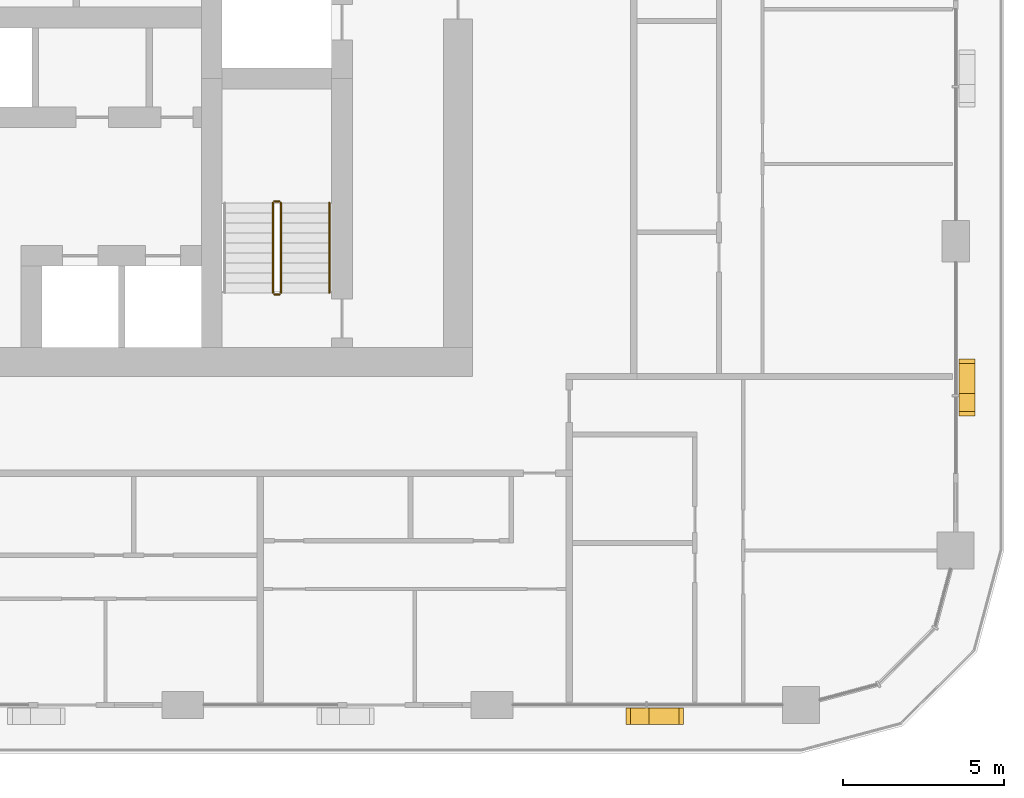
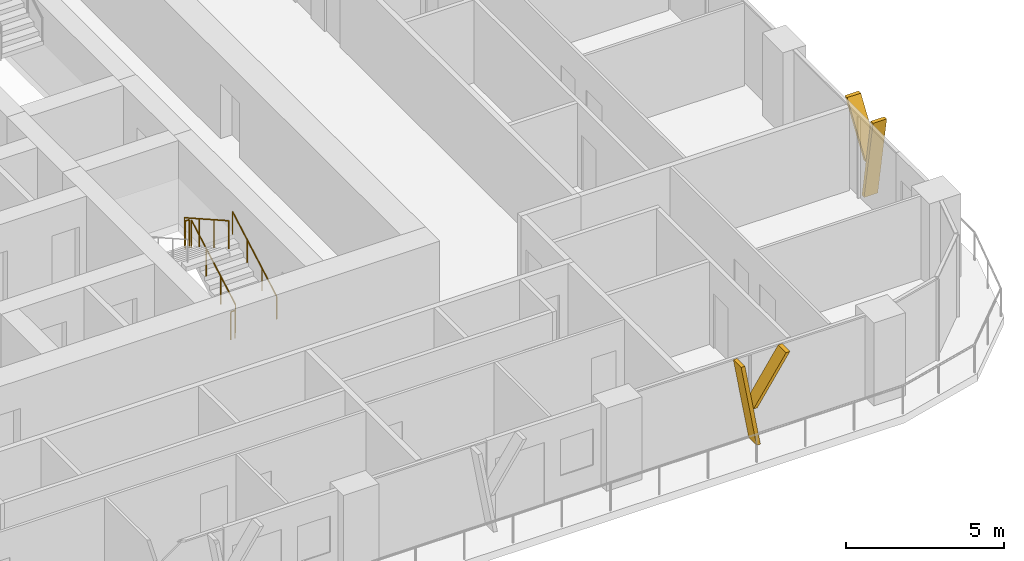
# One storey, part 19 of 22: 5 railings, 4 shading devices.
"""IFC4 building model written with IfcOpenShell, lengths in metres."""

from ifc_helpers import new_model, si_unit, direction, frame, origin, origin_2d, place, context, subcontext, project, spatial, polyline, circle, outline, extrude, material, type_object, element, save


model = new_model("IFC4")

# Units and contexts
model_context = context("Model", 3, precision=1e-05, world=origin(), true_north=direction((0.0, 1.0)))
body_context = subcontext(model_context, "Body", "Model", "MODEL_VIEW")
ifc_project = project(units=[si_unit("LENGTHUNIT", "METRE"), si_unit("AREAUNIT", "SQUARE_METRE"), si_unit("VOLUMEUNIT", "CUBIC_METRE"), si_unit("PLANEANGLEUNIT", "RADIAN"), si_unit("MASSUNIT", "GRAM", prefix="KILO")], contexts=[model_context])

# Site, building, storey
site_placement = place(None, origin())
site = spatial("IfcSite", under=ifc_project, at=site_placement, CompositionType="ELEMENT")
building_placement = place(site_placement, origin())
building = spatial("IfcBuilding", under=site, at=building_placement, Name="Madar Terraces", CompositionType="ELEMENT")
storey_placement = place(building_placement, frame((0.0, 0.0, 103.199951171875)))
storey = spatial("IfcBuildingStorey", under=building, at=storey_placement, Name="L26", CompositionType="ELEMENT", Elevation=103.199951171875)

# Shading devices
ifc_material_1 = material(Name="Aluminium, black anodised", Category="aluminium")
shading_device_type = type_object("IfcShadingDeviceType", Name="Facade fin blade 140 x 500", PredefinedType="USERDEFINED", material=ifc_material_1)
shading_device_1_placement = place(storey_placement, frame((52.72998046875, 4.449951171875, 0.0), z_axis=(0.0, 0.0, 1.0), x_axis=(1.0, 0.0, 0.0)))
element("IfcShadingDevice", 1, at=shading_device_1_placement, inside=storey, type_object=shading_device_type, Name="FIN L26 S5", ObjectType="FIN", PredefinedType="USERDEFINED", context=body_context, shape_type="SweptSolid", body=[
    extrude(outline(polyline([(0.0, 0.0), (0.14013671875, 0.0), (-0.42431640625, 3.199951171875), (-0.564208984375, 3.199951171875), (0.0, 0.0)])), frame((0.0, 0.25, 0.0), z_axis=(0.0, -1.0, 0.0), x_axis=(1.0, 0.0, 0.0)), (0.0, 0.0, 1.0), 0.5),
])
shading_device_2_placement = place(storey_placement, frame((52.6162109375, 4.449951171875, 1.43994140625), z_axis=(0.0, 0.0, 1.0), x_axis=(1.0, 0.0, 0.0)))
element("IfcShadingDevice", 2, at=shading_device_2_placement, inside=storey, type_object=shading_device_type, Name="FIN L26 S5 branch", ObjectType="FIN", PredefinedType="USERDEFINED", context=body_context, shape_type="SweptSolid", body=[
    extrude(outline(polyline([(0.0, 0.0), (0.139892578125, 0.0), (1.32958984375, 1.760009765625), (1.189697265625, 1.760009765625), (0.0, 0.0)])), frame((0.0, 0.25, 0.0), z_axis=(0.0, -1.0, 0.0), x_axis=(1.0, 0.0, 0.0)), (0.0, 0.0, 1.0), 0.5),
])
shading_device_3_placement = place(storey_placement, frame((62.75, 14.330078125, 0.0), z_axis=(0.0, 0.0, 1.0), x_axis=(0.0, 1.0, 0.0)))
element("IfcShadingDevice", 3, at=shading_device_3_placement, inside=storey, type_object=shading_device_type, Name="FIN L26 E1", ObjectType="FIN", PredefinedType="USERDEFINED", context=body_context, shape_type="SweptSolid", body=[
    extrude(outline(polyline([(0.0, 0.0), (0.139892578125, 0.0), (-0.42431640625, 3.199951171875), (-0.564208984375, 3.199951171875), (0.0, 0.0)])), frame((0.0, 0.25, 0.0), z_axis=(0.0, -1.0, 0.0), x_axis=(1.0, 0.0, 0.0)), (0.0, 0.0, 1.0), 0.5),
])
shading_device_4_placement = place(storey_placement, frame((62.75, 14.216064453125, 1.43994140625), z_axis=(0.0, 0.0, 1.0), x_axis=(0.0, 1.0, 0.0)))
element("IfcShadingDevice", 4, at=shading_device_4_placement, inside=storey, type_object=shading_device_type, Name="FIN L26 E1 branch", ObjectType="FIN", PredefinedType="USERDEFINED", context=body_context, shape_type="SweptSolid", body=[
    extrude(outline(polyline([(0.0, 0.0), (0.14013671875, 0.0), (1.32958984375, 1.760009765625), (1.189697265625, 1.760009765625), (0.0, 0.0)])), frame((0.0, 0.25, 0.0), z_axis=(0.0, -1.0, 0.0), x_axis=(1.0, 0.0, 0.0)), (0.0, 0.0, 1.0), 0.5),
])

# Railings
ifc_material_2 = material(Name="Stainless steel railing", Category="steel")
railing_type_1 = type_object("IfcRailingType", Name="Stair guard 1100", PredefinedType="GUARDRAIL", material=ifc_material_2)
railing_1_placement = place(storey_placement, frame((41.449951171875, 17.60009765625, 0.175048828125)))
element("IfcRailing", 5, at=railing_1_placement, inside=storey, type_object=railing_type_1, Name="L26 ST3 stair guard 1", PredefinedType="GUARDRAIL", context=body_context, shape_type="SweptSolid", body=[
    extrude(circle(Radius=0.02392578125, at=origin_2d()), frame((0.0, 0.0, 1.076171875), z_axis=(0.0, 0.870815363784, 0.491610213684), x_axis=(-1.0, 0.0, 0.0)), (0.0, 0.0, 1.0), 3.20361328125),
    extrude(circle(Radius=0.02099609375, at=origin_2d()), origin(), (0.0, 0.0, 1.0), 1.052001953125),
    extrude(circle(Radius=0.02099609375, at=origin_2d()), frame((0.0, 0.929931640625, 0.52490234375)), (0.0, 0.0, 1.0), 1.052001953125),
    extrude(circle(Radius=0.02099609375, at=origin_2d()), frame((0.0, 1.85986328125, 1.050048828125)), (0.0, 0.0, 1.0), 1.052001953125),
    extrude(circle(Radius=0.02099609375, at=origin_2d()), frame((0.0, 2.789794921875, 1.574951171875)), (0.0, 0.0, 1.0), 1.052001953125),
])
railing_2_placement = place(storey_placement, frame((41.39990234375, 20.43994140625, 1.75)))
element("IfcRailing", 6, at=railing_2_placement, inside=storey, type_object=railing_type_1, Name="L26 ST3 stair guard 2", PredefinedType="GUARDRAIL", context=body_context, shape_type="SweptSolid", body=[
    extrude(circle(Radius=0.02392578125, at=origin_2d()), frame((0.0, 0.0, 1.076171875), z_axis=(-1.0, 0.0, 0.0), x_axis=(0.0, -1.0, 0.0)), (0.0, 0.0, 1.0), 0.14990234375),
    extrude(circle(Radius=0.02099609375, at=origin_2d()), origin(), (0.0, 0.0, 1.0), 1.052001953125),
    extrude(circle(Radius=0.02099609375, at=origin_2d()), frame((-0.14990234375, 0.0, 0.0)), (0.0, 0.0, 1.0), 1.052001953125),
])
railing_3_placement = place(storey_placement, frame((41.199951171875, 20.389892578125, 1.925048828125)))
element("IfcRailing", 7, at=railing_3_placement, inside=storey, type_object=railing_type_1, Name="L26 ST3 stair guard 3", PredefinedType="GUARDRAIL", context=body_context, shape_type="SweptSolid", body=[
    extrude(circle(Radius=0.02392578125, at=origin_2d()), frame((0.0, 0.0, 1.076171875), z_axis=(0.0, -0.870815363784, 0.491610213684), x_axis=(1.0, 0.0, 0.0)), (0.0, 0.0, 1.0), 3.20361328125),
    extrude(circle(Radius=0.02099609375, at=origin_2d()), origin(), (0.0, 0.0, 1.0), 1.052001953125),
    extrude(circle(Radius=0.02099609375, at=origin_2d()), frame((0.0, -0.929931640625, 0.52490234375)), (0.0, 0.0, 1.0), 1.052001953125),
    extrude(circle(Radius=0.02099609375, at=origin_2d()), frame((0.0, -1.85986328125, 1.050048828125)), (0.0, 0.0, 1.0), 1.052001953125),
    extrude(circle(Radius=0.02099609375, at=origin_2d()), frame((0.0, -2.789794921875, 1.574951171875)), (0.0, 0.0, 1.0), 1.052001953125),
])
railing_4_placement = place(storey_placement, frame((41.39990234375, 17.550048828125, 0.0)))
element("IfcRailing", 8, at=railing_4_placement, inside=storey, type_object=railing_type_1, Name="L26 ST3 stair guard 4", PredefinedType="GUARDRAIL", context=body_context, shape_type="SweptSolid", body=[
    extrude(circle(Radius=0.02392578125, at=origin_2d()), frame((0.0, 0.0, 1.076171875), z_axis=(-1.0, 0.0, 0.0), x_axis=(0.0, -1.0, 0.0)), (0.0, 0.0, 1.0), 0.14990234375),
    extrude(circle(Radius=0.02099609375, at=origin_2d()), origin(), (0.0, 0.0, 1.0), 1.052001953125),
    extrude(circle(Radius=0.02099609375, at=origin_2d()), frame((-0.14990234375, 0.0, 0.0)), (0.0, 0.0, 1.0), 1.052001953125),
])
ifc_material_3 = material(Name="Stainless steel railing", Category="steel")
railing_type_2 = type_object("IfcRailingType", Name="Stair handrail 900", PredefinedType="HANDRAIL", material=ifc_material_3)
railing_5_placement = place(storey_placement, frame((42.949951171875, 17.60009765625, 0.175048828125)))
element("IfcRailing", 9, at=railing_5_placement, inside=storey, type_object=railing_type_2, Name="L26 ST3 stair handrail 1", PredefinedType="HANDRAIL", context=body_context, shape_type="SweptSolid", body=[
    extrude(circle(Radius=0.02392578125, at=origin_2d()), frame((0.0, 0.0, 0.8759765625), z_axis=(0.0, 0.870815363784, 0.491610213684), x_axis=(-1.0, 0.0, 0.0)), (0.0, 0.0, 1.0), 3.20361328125),
    extrude(circle(Radius=0.02099609375, at=origin_2d()), origin(), (0.0, 0.0, 1.0), 0.851806640625),
    extrude(circle(Radius=0.02099609375, at=origin_2d()), frame((0.0, 0.929931640625, 0.52490234375)), (0.0, 0.0, 1.0), 0.851806640625),
    extrude(circle(Radius=0.02099609375, at=origin_2d()), frame((0.0, 1.85986328125, 1.050048828125)), (0.0, 0.0, 1.0), 0.851806640625),
    extrude(circle(Radius=0.02099609375, at=origin_2d()), frame((0.0, 2.789794921875, 1.574951171875)), (0.0, 0.0, 1.0), 0.851806640625),
])

save(model, "model.ifc")
